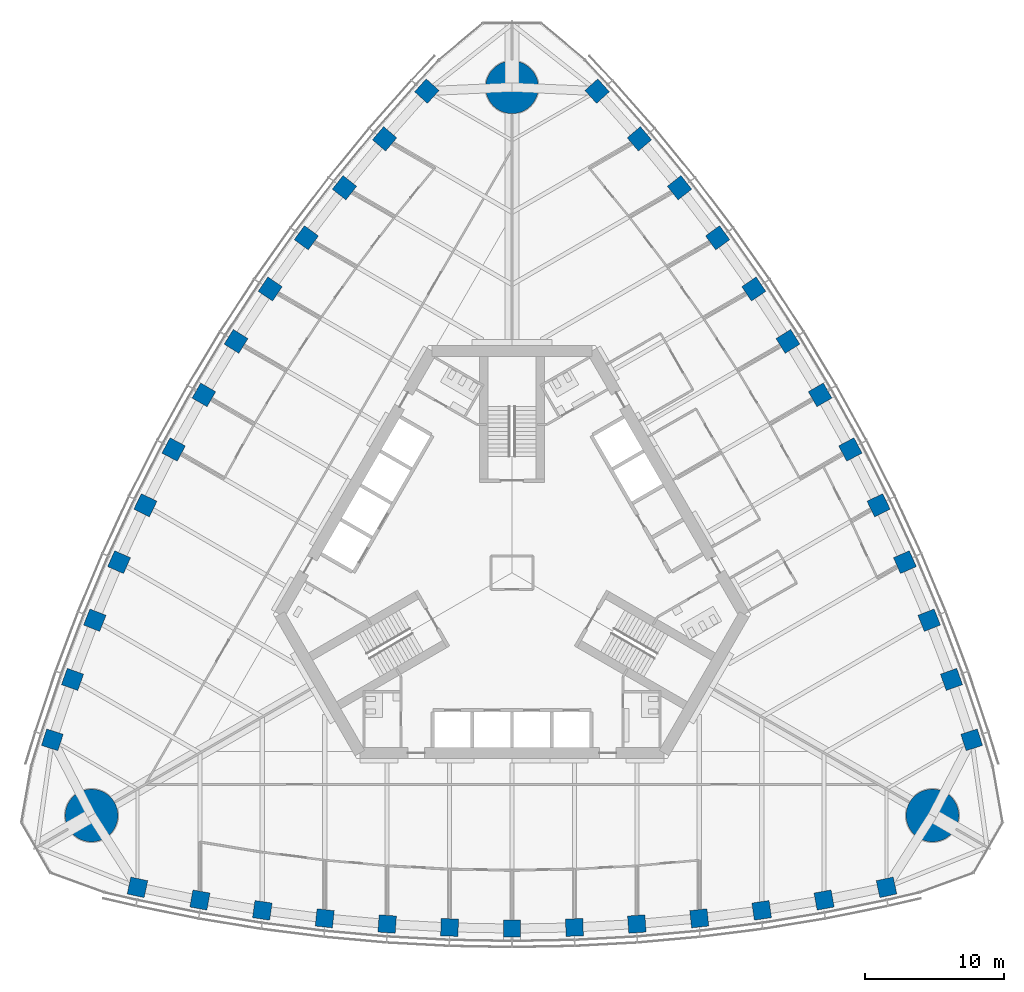
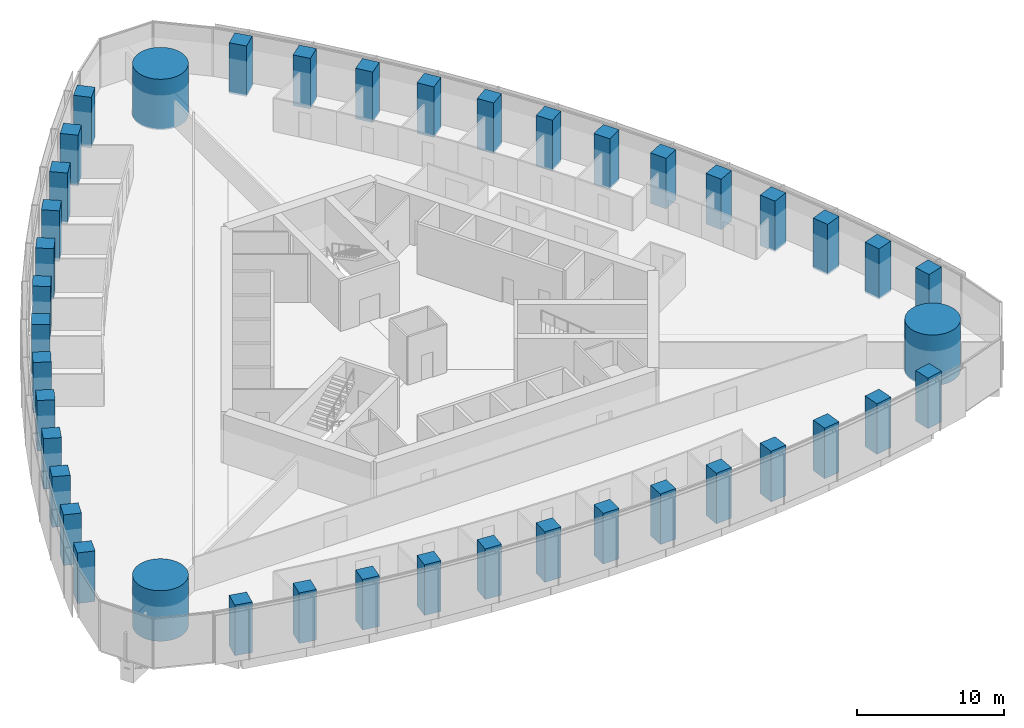
# One storey, part 1 of 21: 42 columns.
"""IFC4 building model written with IfcOpenShell, lengths in metres."""

from ifc_helpers import new_model, si_unit, direction, frame, origin, origin_2d, place, context, subcontext, project, spatial, rectangle, circle, extrude, material, material_profile, profile_set, type_object, element, save


model = new_model("IFC4")

# Units and contexts
model_context = context("Model", 3, precision=1e-05, world=origin(), true_north=direction((0.0, 1.0)))
body_context = subcontext(model_context, "Body", "Model", "MODEL_VIEW")
ifc_project = project(units=[si_unit("LENGTHUNIT", "METRE"), si_unit("AREAUNIT", "SQUARE_METRE"), si_unit("VOLUMEUNIT", "CUBIC_METRE"), si_unit("PLANEANGLEUNIT", "RADIAN"), si_unit("MASSUNIT", "GRAM", prefix="KILO")], contexts=[model_context])

# Site, building, storey
site_placement = place(None, origin())
site = spatial("IfcSite", under=ifc_project, at=site_placement, CompositionType="ELEMENT")
building_placement = place(site_placement, origin())
building = spatial("IfcBuilding", under=site, at=building_placement, Name="Trefoil Bronze Tower", CompositionType="ELEMENT")
storey_placement = place(building_placement, frame((0.0, 0.0, 153.5)))
storey = spatial("IfcBuildingStorey", under=building, at=storey_placement, Name="L35", CompositionType="ELEMENT", Elevation=153.5)

# Columns
ifc_material_1 = material(Name="Concrete B80", Category="concrete")
ifc_material_profile_1 = material_profile(ifc_material_1, circle(Radius=1.89990234375, at=origin_2d()), Name="RC D3800")
ifc_profile_set_1 = profile_set([ifc_material_profile_1], Name="Concrete B80")
column_type_1 = type_object("IfcColumnType", Name="Mega column RC D3800", PredefinedType="COLUMN", material=ifc_profile_set_1)
for number, where, z_axis, x_axis, name in (
    (1, (30.310791015625, -17.5, 0.0), (0.0, 0.0, 1.0), (1.0, 0.0, 0.0), "Mega column K1 L35"),
    (2, (0.0, 35.0, 0.0), (0.0, 0.0, 1.0), (1.0, 0.0, 0.0), "Mega column K2 L35"),
    (3, (-30.310791015625, -17.5, 0.0), (0.0, 0.0, 1.0), (1.0, 0.0, 0.0), "Mega column K3 L35"),
):
    element("IfcColumn", number, at=place(storey_placement, frame(where, z_axis=z_axis, x_axis=x_axis)), inside=storey, type_object=column_type_1, Name=name, PredefinedType="COLUMN", context=body_context, shape_type="SweptSolid", body=[
        extrude(circle(Radius=1.89990234375, at=origin_2d()), origin(), (0.0, 0.0, 1.0), 4.199951171875),
    ])
ifc_material_2 = material(Name="Concrete B80", Category="concrete")
ifc_material_profile_2 = material_profile(ifc_material_2, rectangle(XDim=1.25, YDim=1.25, at=origin_2d()), Name="RC 1250x1250")
ifc_profile_set_2 = profile_set([ifc_material_profile_2], Name="Concrete B80")
column_type_2 = type_object("IfcColumnType", Name="Tube column RC 1250x1250", PredefinedType="COLUMN", material=ifc_profile_set_2)
for number, where, z_axis, x_axis, name in (
    (4, (-27.0, -22.67724609375, 0.0), (0.0, 0.0, 1.0), (0.977276081214, -0.21197042503, 0.0), "Tube column F1/-6 L35"),
    (5, (-22.5, -23.592529296875, 0.0), (0.0, 0.0, 1.0), (0.98362250613, -0.180240853954, 0.0), "Tube column F1/-5 L35"),
    (6, (-18.0, -24.337158203125, 0.0), (0.0, 0.0, 1.0), (0.989549714366, -0.144192103798, 0.0), "Tube column F1/-4 L35"),
    (7, (-13.5, -24.9130859375, 0.0), (0.0, 0.0, 1.0), (0.994135267447, -0.108143747013, 0.0), "Tube column F1/-3 L35"),
    (8, (-9.0, -25.32275390625, 0.0), (0.0, 0.0, 1.0), (0.997397720802, -0.072095676284, 0.0), "Tube column F1/-2 L35"),
    (9, (-4.5, -25.568115234375, 0.0), (0.0, 0.0, 1.0), (0.999350067136, -0.036047792107, 0.0), "Tube column F1/-1 L35"),
    (10, (0.0, -25.649658203125, 0.0), (0.0, 0.0, 1.0), (1.0, 0.0, 0.0), "Tube column F1/+0 L35"),
    (11, (4.5, -25.568115234375, 0.0), (0.0, 0.0, 1.0), (0.999350067136, 0.036047792107, 0.0), "Tube column F1/+1 L35"),
    (12, (9.0, -25.32275390625, 0.0), (0.0, 0.0, 1.0), (0.997397720802, 0.072095676284, 0.0), "Tube column F1/+2 L35"),
    (13, (13.5, -24.9130859375, 0.0), (0.0, 0.0, 1.0), (0.994135267447, 0.108143747013, 0.0), "Tube column F1/+3 L35"),
    (14, (18.0, -24.337158203125, 0.0), (0.0, 0.0, 1.0), (0.989549714366, 0.144192103798, 0.0), "Tube column F1/+4 L35"),
    (15, (22.5, -23.592529296875, 0.0), (0.0, 0.0, 1.0), (0.98362250613, 0.180240853954, 0.0), "Tube column F1/+5 L35"),
    (16, (27.0, -22.67724609375, 0.0), (0.0, 0.0, 1.0), (0.977276081214, 0.21197042503, 0.0), "Tube column F1/+6 L35"),
    (17, (33.13916015625, -12.044189453125, 0.0), (0.0, 0.0, 1.0), (-0.30506626768, 0.952331125357, 0.0), "Tube column F2/-6 L35"),
    (18, (31.681884765625, -7.689208984375, 0.0), (0.0, 0.0, 1.0), (-0.335718094742, 0.94196250502, 0.0), "Tube column F2/-5 L35"),
    (19, (30.07666015625, -3.419921875, 0.0), (0.0, 0.0, 1.0), (-0.369900832269, 0.929071242848, 0.0), "Tube column F2/-4 L35"),
    (20, (28.325439453125, 0.76513671875, 0.0), (0.0, 0.0, 1.0), (-0.40341240155, 0.915018269914, 0.0), "Tube column F2/-3 L35"),
    (21, (26.43017578125, 4.8671875, 0.0), (0.0, 0.0, 1.0), (-0.436262173236, 0.899819602033, 0.0), "Tube column F2/-2 L35"),
    (22, (24.392578125, 8.886962890625, 0.0), (0.0, 0.0, 1.0), (-0.468456729853, 0.883486441467, 0.0), "Tube column F2/-1 L35"),
    (23, (22.21337890625, 12.824951171875, 0.0), (0.0, 0.0, 1.0), (-0.5, 0.866025403784, 0.0), "Tube column F2/+0 L35"),
    (24, (19.892578125, 16.68115234375, 0.0), (0.0, 0.0, 1.0), (-0.530893337283, 0.84743864936, 0.0), "Tube column F2/+1 L35"),
    (25, (17.43017578125, 20.45556640625, 0.0), (0.0, 0.0, 1.0), (-0.561135547566, 0.827723925749, 0.0), "Tube column F2/+2 L35"),
    (26, (14.825439453125, 24.14794921875, 0.0), (0.0, 0.0, 1.0), (-0.590722865897, 0.806874522901, 0.0), "Tube column F2/+3 L35"),
    (27, (12.07666015625, 27.757080078125, 0.0), (0.0, 0.0, 1.0), (-0.619648882098, 0.78487913905, 0.0), "Tube column F2/+4 L35"),
    (28, (9.181884765625, 31.281982421875, 0.0), (0.0, 0.0, 1.0), (-0.647904411389, 0.761721651066, 0.0), "Tube column F2/+5 L35"),
    (29, (6.13916015625, 34.72119140625, 0.0), (0.0, 0.0, 1.0), (-0.672209813534, 0.740360700327, 0.0), "Tube column F2/+6 L35"),
    (30, (-6.13916015625, 34.72119140625, 0.0), (0.0, 0.0, 1.0), (-0.672209813534, -0.740360700327, 0.0), "Tube column F3/-6 L35"),
    (31, (-9.181884765625, 31.281982421875, 0.0), (0.0, 0.0, 1.0), (-0.647904411389, -0.761721651066, 0.0), "Tube column F3/-5 L35"),
    (32, (-12.07666015625, 27.757080078125, 0.0), (0.0, 0.0, 1.0), (-0.619648882098, -0.78487913905, 0.0), "Tube column F3/-4 L35"),
    (33, (-14.825439453125, 24.14794921875, 0.0), (0.0, 0.0, 1.0), (-0.590722865897, -0.806874522901, 0.0), "Tube column F3/-3 L35"),
    (34, (-17.43017578125, 20.45556640625, 0.0), (0.0, 0.0, 1.0), (-0.561135547566, -0.827723925749, 0.0), "Tube column F3/-2 L35"),
    (35, (-19.892578125, 16.68115234375, 0.0), (0.0, 0.0, 1.0), (-0.530893337283, -0.84743864936, 0.0), "Tube column F3/-1 L35"),
    (36, (-22.21337890625, 12.824951171875, 0.0), (0.0, 0.0, 1.0), (-0.5, -0.866025403784, 0.0), "Tube column F3/+0 L35"),
    (37, (-24.392578125, 8.886962890625, 0.0), (0.0, 0.0, 1.0), (-0.468456729853, -0.883486441467, 0.0), "Tube column F3/+1 L35"),
    (38, (-26.43017578125, 4.8671875, 0.0), (0.0, 0.0, 1.0), (-0.436262173236, -0.899819602033, 0.0), "Tube column F3/+2 L35"),
    (39, (-28.325439453125, 0.76513671875, 0.0), (0.0, 0.0, 1.0), (-0.40341240155, -0.915018269914, 0.0), "Tube column F3/+3 L35"),
    (40, (-30.07666015625, -3.419921875, 0.0), (0.0, 0.0, 1.0), (-0.369900832269, -0.929071242848, 0.0), "Tube column F3/+4 L35"),
    (41, (-31.681884765625, -7.689208984375, 0.0), (0.0, 0.0, 1.0), (-0.335718094742, -0.94196250502, 0.0), "Tube column F3/+5 L35"),
    (42, (-33.13916015625, -12.044189453125, 0.0), (0.0, 0.0, 1.0), (-0.30506626768, -0.952331125357, 0.0), "Tube column F3/+6 L35"),
):
    element("IfcColumn", number, at=place(storey_placement, frame(where, z_axis=z_axis, x_axis=x_axis)), inside=storey, type_object=column_type_2, Name=name, PredefinedType="COLUMN", context=body_context, shape_type="SweptSolid", body=[
        extrude(rectangle(XDim=1.25, YDim=1.25, at=origin_2d()), origin(), (0.0, 0.0, 1.0), 4.199951171875),
    ])

save(model, "model.ifc")
